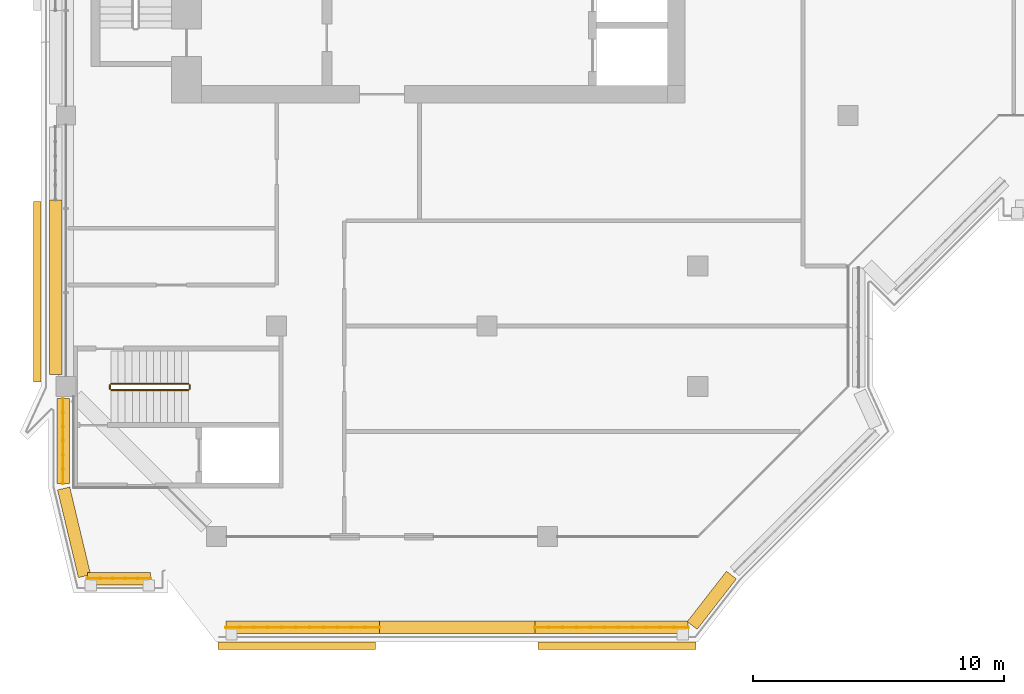
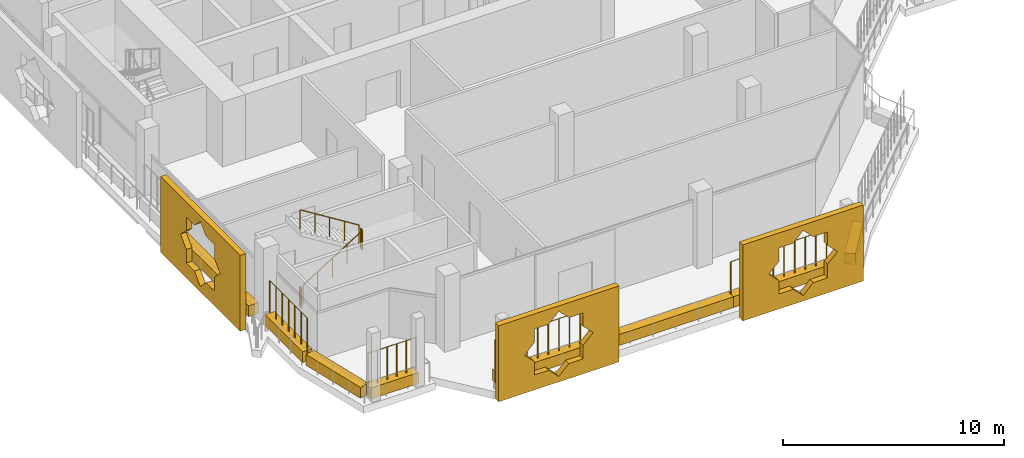
# One storey, part 15 of 21: 11 coverings, 8 railings.
"""IFC4 building model written with IfcOpenShell, lengths in metres."""

from ifc_helpers import new_model, si_unit, direction, frame, origin, origin_2d, place, context, subcontext, project, spatial, polyline, rectangle, circle, outline, extrude, material, material_profile, profile_set, type_object, element, save


model = new_model("IFC4")

# Units and contexts
model_context = context("Model", 3, precision=1e-05, world=origin(), true_north=direction((0.0, 1.0)))
body_context = subcontext(model_context, "Body", "Model", "MODEL_VIEW")
ifc_project = project(units=[si_unit("LENGTHUNIT", "METRE"), si_unit("AREAUNIT", "SQUARE_METRE"), si_unit("VOLUMEUNIT", "CUBIC_METRE"), si_unit("PLANEANGLEUNIT", "RADIAN"), si_unit("MASSUNIT", "GRAM", prefix="KILO")], contexts=[model_context])

# Site, building, storey
site_placement = place(None, origin())
site = spatial("IfcSite", under=ifc_project, at=site_placement, CompositionType="ELEMENT")
building_placement = place(site_placement, origin())
building = spatial("IfcBuilding", under=site, at=building_placement, Name="Kawkab Arch Medical Tower", CompositionType="ELEMENT")
storey_placement = place(building_placement, frame((0.0, 0.0, 311.199951171875)))
storey = spatial("IfcBuildingStorey", under=building, at=storey_placement, Name="L72", CompositionType="ELEMENT", Elevation=311.199951171875)

# Coverings
ifc_material_1 = material(Name="Bronze anodised aluminium mashrabiya panel, eight-point star pattern", Category="aluminium")
ifc_material_profile_1 = material_profile(ifc_material_1, outline(polyline([(-3.14990234375, -2.10009765625), (3.14990234375, -2.10009765625), (3.14990234375, 2.10009765625), (-3.14990234375, 2.10009765625), (-3.14990234375, -2.10009765625)]), holes=[polyline([(1.800048828125, 0.0), (1.272705078125, 0.527099609375), (1.272705078125, 1.272705078125), (0.527099609375, 1.272705078125), (0.0, 1.800048828125), (-0.527099609375, 1.272705078125), (-1.272705078125, 1.272705078125), (-1.272705078125, 0.527099609375), (-1.800048828125, 0.0), (-1.272705078125, -0.527099609375), (-1.272705078125, -1.272705078125), (-0.527099609375, -1.272705078125), (0.0, -1.800048828125), (0.527099609375, -1.272705078125), (1.272705078125, -1.272705078125), (1.272705078125, -0.527099609375), (1.800048828125, 0.0)])]), Name="Mashrabiya panel 6300x4200")
ifc_profile_set_1 = profile_set([ifc_material_profile_1], Name="Bronze anodised aluminium mashrabiya panel, eight-point star pattern")
covering_type_1 = type_object("IfcCoveringType", Name="Mashrabiya panel 6300 x 4200", PredefinedType="USERDEFINED", material=ifc_profile_set_1)
for number, where, z_axis, x_axis, name in (
    (1, (21.976806640625, -46.199951171875, 1.699951171875), (0.0, -1.0, 0.0), (1.0, 0.0, 0.0), "Mashrabiya panel L72.LOG-01-01.8"),
    (2, (9.203369140625, -46.199951171875, 1.699951171875), (0.0, -1.0, 0.0), (1.0, 0.0, 0.0), "Mashrabiya panel L72.LOG-01-01.9"),
):
    element("IfcCovering", number, at=place(storey_placement, frame(where, z_axis=z_axis, x_axis=x_axis)), inside=storey, type_object=covering_type_1, Name=name, ObjectType="SCREEN", PredefinedType="USERDEFINED", context=body_context, shape_type="SweptSolid", body=[
        extrude(outline(polyline([(-3.14990234375, -2.10009765625), (3.14990234375, -2.10009765625), (3.14990234375, 2.10009765625), (-3.14990234375, 2.10009765625), (-3.14990234375, -2.10009765625)]), holes=[polyline([(1.800048828125, 0.0), (1.272705078125, 0.527099609375), (1.272705078125, 1.272705078125), (0.527099609375, 1.272705078125), (0.0, 1.800048828125), (-0.527099609375, 1.272705078125), (-1.272705078125, 1.272705078125), (-1.272705078125, 0.527099609375), (-1.800048828125, 0.0), (-1.272705078125, -0.527099609375), (-1.272705078125, -1.272705078125), (-0.527099609375, -1.272705078125), (0.0, -1.800048828125), (0.527099609375, -1.272705078125), (1.272705078125, -1.272705078125), (1.272705078125, -0.527099609375), (1.800048828125, 0.0)])]), origin(), (0.0, 0.0, 1.0), 0.300048828125),
    ])
ifc_material_2 = material(Name="Bronze anodised aluminium mashrabiya panel, eight-point star pattern", Category="aluminium")
ifc_material_profile_2 = material_profile(ifc_material_2, outline(polyline([(-3.60009765625, -2.10009765625), (3.60009765625, -2.10009765625), (3.60009765625, 2.10009765625), (-3.60009765625, 2.10009765625), (-3.60009765625, -2.10009765625)]), holes=[polyline([(1.800048828125, 0.0), (1.272705078125, 0.527099609375), (1.272705078125, 1.272705078125), (0.527099609375, 1.272705078125), (0.0, 1.800048828125), (-0.527099609375, 1.272705078125), (-1.272705078125, 1.272705078125), (-1.272705078125, 0.527099609375), (-1.800048828125, 0.0), (-1.272705078125, -0.527099609375), (-1.272705078125, -1.272705078125), (-0.527099609375, -1.272705078125), (0.0, -1.800048828125), (0.527099609375, -1.272705078125), (1.272705078125, -1.272705078125), (1.272705078125, -0.527099609375), (1.800048828125, 0.0)])]), Name="Mashrabiya panel 7200x4200")
ifc_profile_set_2 = profile_set([ifc_material_profile_2], Name="Bronze anodised aluminium mashrabiya panel, eight-point star pattern")
covering_type_2 = type_object("IfcCoveringType", Name="Mashrabiya panel 7200 x 4200", PredefinedType="USERDEFINED", material=ifc_profile_set_2)
covering_1_placement = place(storey_placement, frame((-1.0, -32.231689453125, 1.699951171875), z_axis=(-1.0, 0.0, 0.0), x_axis=(0.0, -1.0, 0.0)))
element("IfcCovering", 3, at=covering_1_placement, inside=storey, type_object=covering_type_2, Name="Mashrabiya panel L72.LOG-01-01.1", ObjectType="SCREEN", PredefinedType="USERDEFINED", context=body_context, shape_type="SweptSolid", body=[
    extrude(outline(polyline([(-3.60009765625, -2.10009765625), (3.60009765625, -2.10009765625), (3.60009765625, 2.10009765625), (-3.60009765625, 2.10009765625), (-3.60009765625, -2.10009765625)]), holes=[polyline([(1.800048828125, 0.0), (1.272705078125, 0.527099609375), (1.272705078125, 1.272705078125), (0.527099609375, 1.272705078125), (0.0, 1.800048828125), (-0.527099609375, 1.272705078125), (-1.272705078125, 1.272705078125), (-1.272705078125, 0.527099609375), (-1.800048828125, 0.0), (-1.272705078125, -0.527099609375), (-1.272705078125, -1.272705078125), (-0.527099609375, -1.272705078125), (0.0, -1.800048828125), (0.527099609375, -1.272705078125), (1.272705078125, -1.272705078125), (1.272705078125, -0.527099609375), (1.800048828125, 0.0)])]), origin(), (0.0, 0.0, 1.0), 0.300048828125),
])
ifc_material_3 = material(Name="Planting soil in a precast trough", Category="concrete")
ifc_material_profile_3 = material_profile(ifc_material_3, rectangle(XDim=0.5, YDim=0.60009765625, at=origin_2d()), Name="Trough 500x600")
ifc_profile_set_3 = profile_set([ifc_material_profile_3], Name="Planting soil in a precast trough")
covering_type_3 = type_object("IfcCoveringType", Name="Planter trough 500 x 600", PredefinedType="USERDEFINED", material=ifc_profile_set_3)
covering_2_placement = place(storey_placement, frame((3.3701171875, -43.669921875, 0.300048828125), z_axis=(-1.0, 0.0, 0.0), x_axis=(0.0, -1.0, 0.0)))
element("IfcCovering", 4, at=covering_2_placement, inside=storey, type_object=covering_type_3, Name="Planter L72.LOG-01-01.1", ObjectType="PLANTER", PredefinedType="USERDEFINED", context=body_context, shape_type="SweptSolid", body=[
    extrude(rectangle(XDim=0.5, YDim=0.60009765625, at=origin_2d()), origin(), (0.0, 0.0, 1.0), 2.51220703125),
])
covering_3_placement = place(storey_placement, frame((0.735107421875, -43.572998046875, 0.300048828125), z_axis=(-0.231660349642, 0.972796732315, 0.0), x_axis=(-0.972796732315, -0.231660349642, 0.0)))
element("IfcCovering", 5, at=covering_3_placement, inside=storey, type_object=covering_type_3, Name="Planter L72.LOG-01-01.2", ObjectType="PLANTER", PredefinedType="USERDEFINED", context=body_context, shape_type="SweptSolid", body=[
    extrude(rectangle(XDim=0.5, YDim=0.60009765625, at=origin_2d()), origin(), (0.0, 0.0, 1.0), 3.591552734375),
])
covering_4_placement = place(storey_placement, frame((-0.1201171875, -39.882080078125, 0.300048828125), z_axis=(0.0, 1.0, 0.0), x_axis=(-1.0, 0.0, 0.0)))
element("IfcCovering", 6, at=covering_4_placement, inside=storey, type_object=covering_type_3, Name="Planter L72.LOG-01-01.3", ObjectType="PLANTER", PredefinedType="USERDEFINED", context=body_context, shape_type="SweptSolid", body=[
    extrude(rectangle(XDim=0.5, YDim=0.60009765625, at=origin_2d()), origin(), (0.0, 0.0, 1.0), 3.402099609375),
])
covering_5_placement = place(storey_placement, frame((-0.419921875, -35.52001953125, 0.300048828125), z_axis=(0.0, 1.0, 0.0), x_axis=(-1.0, 0.0, 0.0)))
element("IfcCovering", 7, at=covering_5_placement, inside=storey, type_object=covering_type_3, Name="Planter L72.LOG-01-01.4", ObjectType="PLANTER", PredefinedType="USERDEFINED", context=body_context, shape_type="SweptSolid", body=[
    extrude(rectangle(XDim=0.5, YDim=0.60009765625, at=origin_2d()), origin(), (0.0, 0.0, 1.0), 6.95703125),
])
covering_6_placement = place(storey_placement, frame((26.541015625, -43.531982421875, 0.300048828125), z_axis=(-0.61404021143, -0.789274742246, 0.0), x_axis=(0.789274742246, -0.61404021143, 0.0)))
element("IfcCovering", 8, at=covering_6_placement, inside=storey, type_object=covering_type_3, Name="Planter L72.LOG-01-01.34", ObjectType="PLANTER", PredefinedType="USERDEFINED", context=body_context, shape_type="SweptSolid", body=[
    extrude(rectangle(XDim=0.5, YDim=0.60009765625, at=origin_2d()), origin(), (0.0, 0.0, 1.0), 2.54541015625),
])
covering_7_placement = place(storey_placement, frame((24.81591796875, -45.6201171875, 0.300048828125), z_axis=(-1.0, 0.0, 0.0), x_axis=(0.0, -1.0, 0.0)))
element("IfcCovering", 9, at=covering_7_placement, inside=storey, type_object=covering_type_3, Name="Planter L72.LOG-01-01.35", ObjectType="PLANTER", PredefinedType="USERDEFINED", context=body_context, shape_type="SweptSolid", body=[
    extrude(rectangle(XDim=0.5, YDim=0.60009765625, at=origin_2d()), origin(), (0.0, 0.0, 1.0), 6.11083984375),
])
covering_8_placement = place(storey_placement, frame((18.705078125, -45.6201171875, 0.300048828125), z_axis=(-1.0, 0.0, 0.0), x_axis=(0.0, -1.0, 0.0)))
element("IfcCovering", 10, at=covering_8_placement, inside=storey, type_object=covering_type_3, Name="Planter L72.LOG-01-01.36", ObjectType="PLANTER", PredefinedType="USERDEFINED", context=body_context, shape_type="SweptSolid", body=[
    extrude(rectangle(XDim=0.5, YDim=0.60009765625, at=origin_2d()), origin(), (0.0, 0.0, 1.0), 6.2099609375),
])
covering_9_placement = place(storey_placement, frame((12.4951171875, -45.6201171875, 0.300048828125), z_axis=(-1.0, 0.0, 0.0), x_axis=(0.0, -1.0, 0.0)))
element("IfcCovering", 11, at=covering_9_placement, inside=storey, type_object=covering_type_3, Name="Planter L72.LOG-01-01.37", ObjectType="PLANTER", PredefinedType="USERDEFINED", context=body_context, shape_type="SweptSolid", body=[
    extrude(rectangle(XDim=0.5, YDim=0.60009765625, at=origin_2d()), origin(), (0.0, 0.0, 1.0), 6.111083984375),
])

# Railings
ifc_material_4 = material(Name="Bronze anodised aluminium trellis for climbing plants", Category="aluminium")
railing_type_1 = type_object("IfcRailingType", Name="Planting trellis 2400", PredefinedType="USERDEFINED", material=ifc_material_4)
railing_1_placement = place(storey_placement, frame((3.3701171875, -43.669921875, 0.0)))
element("IfcRailing", 12, at=railing_1_placement, inside=storey, type_object=railing_type_1, Name="Planting trellis L72.LOG-01-01.1", ObjectType="TRELLIS", PredefinedType="USERDEFINED", context=body_context, shape_type="SweptSolid", body=[
    extrude(circle(Radius=0.01513671875, at=origin_2d()), frame((0.0, 0.0, 2.384765625), z_axis=(-1.0, 0.0, 0.0), x_axis=(0.0, -1.0, 0.0)), (0.0, 0.0, 1.0), 2.51220703125),
    extrude(circle(Radius=0.030029296875, at=origin_2d()), origin(), (0.0, 0.0, 1.0), 2.369873046875),
    extrude(circle(Radius=0.030029296875, at=origin_2d()), frame((-0.50244140625, 0.0, 0.0)), (0.0, 0.0, 1.0), 2.369873046875),
    extrude(circle(Radius=0.030029296875, at=origin_2d()), frame((-1.0048828125, 0.0, 0.0)), (0.0, 0.0, 1.0), 2.369873046875),
    extrude(circle(Radius=0.030029296875, at=origin_2d()), frame((-1.50732421875, 0.0, 0.0)), (0.0, 0.0, 1.0), 2.369873046875),
    extrude(circle(Radius=0.030029296875, at=origin_2d()), frame((-2.009765625, 0.0, 0.0)), (0.0, 0.0, 1.0), 2.369873046875),
    extrude(circle(Radius=0.030029296875, at=origin_2d()), frame((-2.51220703125, 0.0, 0.0)), (0.0, 0.0, 1.0), 2.369873046875),
])
railing_2_placement = place(storey_placement, frame((-0.1201171875, -39.882080078125, 0.0)))
element("IfcRailing", 13, at=railing_2_placement, inside=storey, type_object=railing_type_1, Name="Planting trellis L72.LOG-01-01.3", ObjectType="TRELLIS", PredefinedType="USERDEFINED", context=body_context, shape_type="SweptSolid", body=[
    extrude(circle(Radius=0.01513671875, at=origin_2d()), frame((0.0, 0.0, 2.384765625), z_axis=(0.0, 1.0, 0.0), x_axis=(-1.0, 0.0, 0.0)), (0.0, 0.0, 1.0), 3.402099609375),
    extrude(circle(Radius=0.030029296875, at=origin_2d()), origin(), (0.0, 0.0, 1.0), 2.369873046875),
    extrude(circle(Radius=0.030029296875, at=origin_2d()), frame((0.0, 0.56689453125, 0.0)), (0.0, 0.0, 1.0), 2.369873046875),
    extrude(circle(Radius=0.030029296875, at=origin_2d()), frame((0.0, 1.134033203125, 0.0)), (0.0, 0.0, 1.0), 2.369873046875),
    extrude(circle(Radius=0.030029296875, at=origin_2d()), frame((0.0, 1.701171875, 0.0)), (0.0, 0.0, 1.0), 2.369873046875),
    extrude(circle(Radius=0.030029296875, at=origin_2d()), frame((0.0, 2.26806640625, 0.0)), (0.0, 0.0, 1.0), 2.369873046875),
    extrude(circle(Radius=0.030029296875, at=origin_2d()), frame((0.0, 2.8349609375, 0.0)), (0.0, 0.0, 1.0), 2.369873046875),
    extrude(circle(Radius=0.030029296875, at=origin_2d()), frame((0.0, 3.402099609375, 0.0)), (0.0, 0.0, 1.0), 2.369873046875),
])
railing_3_placement = place(storey_placement, frame((24.81591796875, -45.6201171875, 0.0)))
element("IfcRailing", 14, at=railing_3_placement, inside=storey, type_object=railing_type_1, Name="Planting trellis L72.LOG-01-01.35", ObjectType="TRELLIS", PredefinedType="USERDEFINED", context=body_context, shape_type="SweptSolid", body=[
    extrude(circle(Radius=0.01513671875, at=origin_2d()), frame((0.0, 0.0, 2.384765625), z_axis=(-1.0, 0.0, 0.0), x_axis=(0.0, -1.0, 0.0)), (0.0, 0.0, 1.0), 6.11083984375),
    extrude(circle(Radius=0.030029296875, at=origin_2d()), origin(), (0.0, 0.0, 1.0), 2.369873046875),
    extrude(circle(Radius=0.030029296875, at=origin_2d()), frame((-0.555419921875, 0.0, 0.0)), (0.0, 0.0, 1.0), 2.369873046875),
    extrude(circle(Radius=0.030029296875, at=origin_2d()), frame((-1.111083984375, 0.0, 0.0)), (0.0, 0.0, 1.0), 2.369873046875),
    extrude(circle(Radius=0.030029296875, at=origin_2d()), frame((-1.66650390625, 0.0, 0.0)), (0.0, 0.0, 1.0), 2.369873046875),
    extrude(circle(Radius=0.030029296875, at=origin_2d()), frame((-2.22216796875, 0.0, 0.0)), (0.0, 0.0, 1.0), 2.369873046875),
    extrude(circle(Radius=0.030029296875, at=origin_2d()), frame((-2.777587890625, 0.0, 0.0)), (0.0, 0.0, 1.0), 2.369873046875),
    extrude(circle(Radius=0.030029296875, at=origin_2d()), frame((-3.333251953125, 0.0, 0.0)), (0.0, 0.0, 1.0), 2.369873046875),
    extrude(circle(Radius=0.030029296875, at=origin_2d()), frame((-3.888671875, 0.0, 0.0)), (0.0, 0.0, 1.0), 2.369873046875),
    extrude(circle(Radius=0.030029296875, at=origin_2d()), frame((-4.4443359375, 0.0, 0.0)), (0.0, 0.0, 1.0), 2.369873046875),
    extrude(circle(Radius=0.030029296875, at=origin_2d()), frame((-4.999755859375, 0.0, 0.0)), (0.0, 0.0, 1.0), 2.369873046875),
    extrude(circle(Radius=0.030029296875, at=origin_2d()), frame((-5.555419921875, 0.0, 0.0)), (0.0, 0.0, 1.0), 2.369873046875),
    extrude(circle(Radius=0.030029296875, at=origin_2d()), frame((-6.11083984375, 0.0, 0.0)), (0.0, 0.0, 1.0), 2.369873046875),
])
railing_4_placement = place(storey_placement, frame((12.4951171875, -45.6201171875, 0.0)))
element("IfcRailing", 15, at=railing_4_placement, inside=storey, type_object=railing_type_1, Name="Planting trellis L72.LOG-01-01.37", ObjectType="TRELLIS", PredefinedType="USERDEFINED", context=body_context, shape_type="SweptSolid", body=[
    extrude(circle(Radius=0.01513671875, at=origin_2d()), frame((0.0, 0.0, 2.384765625), z_axis=(-1.0, 0.0, 0.0), x_axis=(0.0, -1.0, 0.0)), (0.0, 0.0, 1.0), 6.111083984375),
    extrude(circle(Radius=0.030029296875, at=origin_2d()), origin(), (0.0, 0.0, 1.0), 2.369873046875),
    extrude(circle(Radius=0.030029296875, at=origin_2d()), frame((-0.5556640625, 0.0, 0.0)), (0.0, 0.0, 1.0), 2.369873046875),
    extrude(circle(Radius=0.030029296875, at=origin_2d()), frame((-1.111083984375, 0.0, 0.0)), (0.0, 0.0, 1.0), 2.369873046875),
    extrude(circle(Radius=0.030029296875, at=origin_2d()), frame((-1.666748046875, 0.0, 0.0)), (0.0, 0.0, 1.0), 2.369873046875),
    extrude(circle(Radius=0.030029296875, at=origin_2d()), frame((-2.22216796875, 0.0, 0.0)), (0.0, 0.0, 1.0), 2.369873046875),
    extrude(circle(Radius=0.030029296875, at=origin_2d()), frame((-2.77783203125, 0.0, 0.0)), (0.0, 0.0, 1.0), 2.369873046875),
    extrude(circle(Radius=0.030029296875, at=origin_2d()), frame((-3.333251953125, 0.0, 0.0)), (0.0, 0.0, 1.0), 2.369873046875),
    extrude(circle(Radius=0.030029296875, at=origin_2d()), frame((-3.888916015625, 0.0, 0.0)), (0.0, 0.0, 1.0), 2.369873046875),
    extrude(circle(Radius=0.030029296875, at=origin_2d()), frame((-4.4443359375, 0.0, 0.0)), (0.0, 0.0, 1.0), 2.369873046875),
    extrude(circle(Radius=0.030029296875, at=origin_2d()), frame((-5.0, 0.0, 0.0)), (0.0, 0.0, 1.0), 2.369873046875),
    extrude(circle(Radius=0.030029296875, at=origin_2d()), frame((-5.555419921875, 0.0, 0.0)), (0.0, 0.0, 1.0), 2.369873046875),
    extrude(circle(Radius=0.030029296875, at=origin_2d()), frame((-6.111083984375, 0.0, 0.0)), (0.0, 0.0, 1.0), 2.369873046875),
])
ifc_material_5 = material(Name="Stainless steel", Category="steel")
railing_type_2 = type_object("IfcRailingType", Name="Stair guard 1100", PredefinedType="GUARDRAIL", material=ifc_material_5)
railing_5_placement = place(storey_placement, frame((1.800048828125, -36.14990234375, 0.175048828125)))
element("IfcRailing", 16, at=railing_5_placement, inside=storey, type_object=railing_type_2, Name="L72 ST6 stair guard 1", PredefinedType="GUARDRAIL", context=body_context, shape_type="SweptSolid", body=[
    extrude(circle(Radius=0.02392578125, at=origin_2d()), frame((0.0, 0.0, 1.076171875), z_axis=(0.847979421464, 0.0, 0.530029150871), x_axis=(0.0, 1.0, 0.0)), (0.0, 0.0, 1.0), 3.632080078125),
    extrude(circle(Radius=0.02099609375, at=origin_2d()), origin(), (0.0, 0.0, 1.0), 1.052001953125),
    extrude(circle(Radius=0.02099609375, at=origin_2d()), frame((0.77001953125, 0.0, 0.481201171875)), (0.0, 0.0, 1.0), 1.052001953125),
    extrude(circle(Radius=0.02099609375, at=origin_2d()), frame((1.5400390625, 0.0, 0.96240234375)), (0.0, 0.0, 1.0), 1.052001953125),
    extrude(circle(Radius=0.02099609375, at=origin_2d()), frame((2.309814453125, 0.0, 1.44384765625)), (0.0, 0.0, 1.0), 1.052001953125),
    extrude(circle(Radius=0.02099609375, at=origin_2d()), frame((3.079833984375, 0.0, 1.925048828125)), (0.0, 0.0, 1.0), 1.052001953125),
])
railing_6_placement = place(storey_placement, frame((4.929931640625, -36.10009765625, 2.10009765625)))
element("IfcRailing", 17, at=railing_6_placement, inside=storey, type_object=railing_type_2, Name="L72 ST6 stair guard 2", PredefinedType="GUARDRAIL", context=body_context, shape_type="SweptSolid", body=[
    extrude(circle(Radius=0.02392578125, at=origin_2d()), frame((0.0, 0.0, 1.076171875), z_axis=(0.0, 1.0, 0.0), x_axis=(-1.0, 0.0, 0.0)), (0.0, 0.0, 1.0), 0.150146484375),
    extrude(circle(Radius=0.02099609375, at=origin_2d()), origin(), (0.0, 0.0, 1.0), 1.052001953125),
    extrude(circle(Radius=0.02099609375, at=origin_2d()), frame((0.0, 0.150146484375, 0.0)), (0.0, 0.0, 1.0), 1.052001953125),
])
railing_7_placement = place(storey_placement, frame((4.8798828125, -35.89990234375, 2.275146484375)))
element("IfcRailing", 18, at=railing_7_placement, inside=storey, type_object=railing_type_2, Name="L72 ST6 stair guard 3", PredefinedType="GUARDRAIL", context=body_context, shape_type="SweptSolid", body=[
    extrude(circle(Radius=0.02392578125, at=origin_2d()), frame((0.0, 0.0, 1.076171875), z_axis=(-0.848009633417, 0.0, 0.529980812513), x_axis=(0.0, -1.0, 0.0)), (0.0, 0.0, 1.0), 3.6318359375),
    extrude(circle(Radius=0.02099609375, at=origin_2d()), origin(), (0.0, 0.0, 1.0), 1.052001953125),
    extrude(circle(Radius=0.02099609375, at=origin_2d()), frame((-0.77001953125, 0.0, 0.481201171875)), (0.0, 0.0, 1.0), 1.052001953125),
    extrude(circle(Radius=0.02099609375, at=origin_2d()), frame((-1.5400390625, 0.0, 0.96240234375)), (0.0, 0.0, 1.0), 1.052001953125),
    extrude(circle(Radius=0.02099609375, at=origin_2d()), frame((-2.309814453125, 0.0, 1.443603515625)), (0.0, 0.0, 1.0), 1.052001953125),
    extrude(circle(Radius=0.02099609375, at=origin_2d()), frame((-3.079833984375, 0.0, 1.9248046875)), (0.0, 0.0, 1.0), 1.052001953125),
])
railing_8_placement = place(storey_placement, frame((1.75, -36.10009765625, 0.0)))
element("IfcRailing", 19, at=railing_8_placement, inside=storey, type_object=railing_type_2, Name="L72 ST6 stair guard 4", PredefinedType="GUARDRAIL", context=body_context, shape_type="SweptSolid", body=[
    extrude(circle(Radius=0.02392578125, at=origin_2d()), frame((0.0, 0.0, 1.076171875), z_axis=(0.0, 1.0, 0.0), x_axis=(-1.0, 0.0, 0.0)), (0.0, 0.0, 1.0), 0.150146484375),
    extrude(circle(Radius=0.02099609375, at=origin_2d()), origin(), (0.0, 0.0, 1.0), 1.052001953125),
    extrude(circle(Radius=0.02099609375, at=origin_2d()), frame((0.0, 0.150146484375, 0.0)), (0.0, 0.0, 1.0), 1.052001953125),
])

save(model, "model.ifc")
